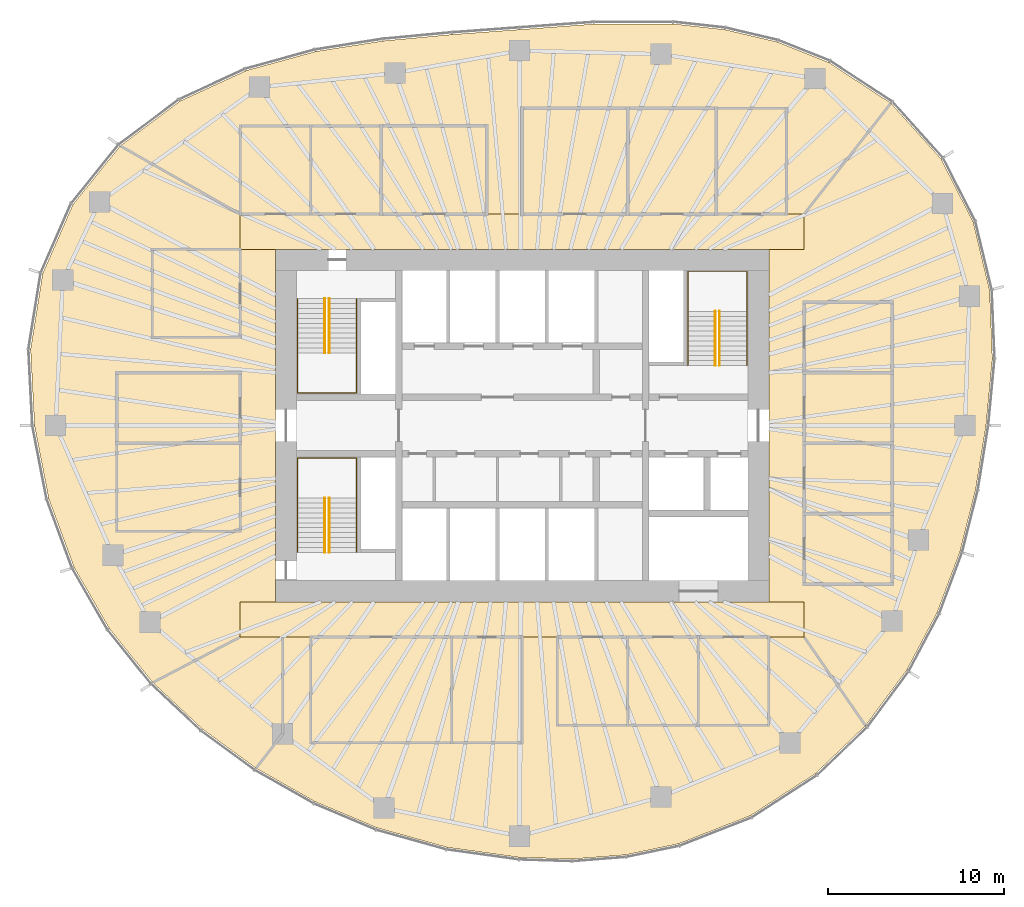
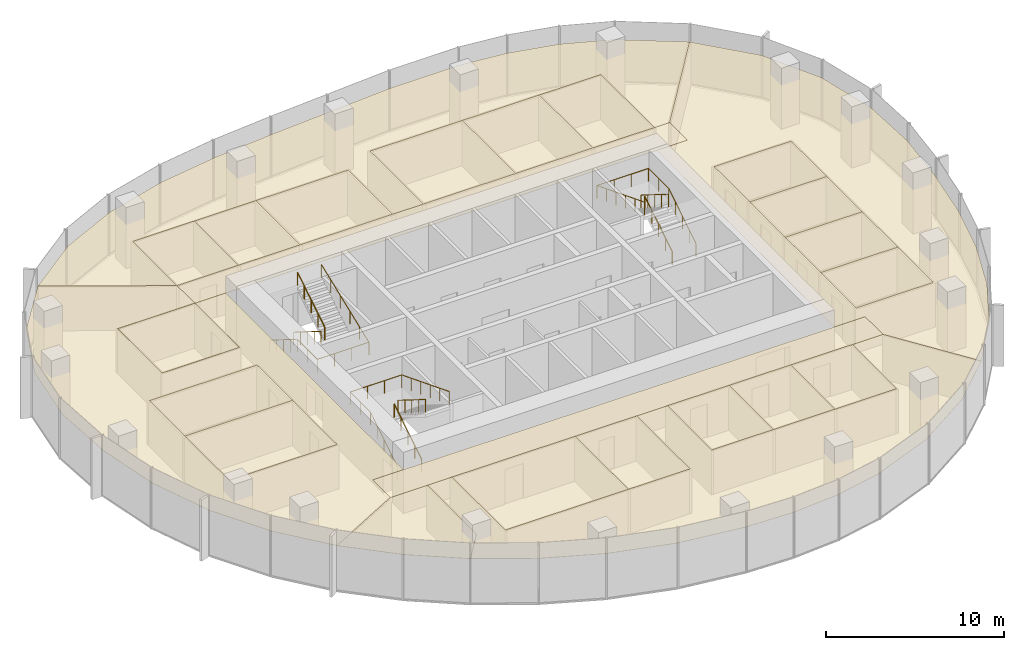
# One storey, part 12 of 12: 25 coverings, 9 railings.
"""IFC4 building model written with IfcOpenShell, lengths in metres."""

from ifc_helpers import new_model, si_unit, direction, frame, origin, origin_2d, place, context, subcontext, project, spatial, polyline, circle, outline, extrude, material, layer, layer_set, type_object, element, save


model = new_model("IFC4")

# Units and contexts
model_context = context("Model", 3, precision=1e-05, world=origin(), true_north=direction((0.0, 1.0)))
body_context = subcontext(model_context, "Body", "Model", "MODEL_VIEW")
ifc_project = project(units=[si_unit("LENGTHUNIT", "METRE"), si_unit("AREAUNIT", "SQUARE_METRE"), si_unit("VOLUMEUNIT", "CUBIC_METRE"), si_unit("PLANEANGLEUNIT", "RADIAN"), si_unit("MASSUNIT", "GRAM", prefix="KILO")], contexts=[model_context])

# Site, building, storey
site_placement = place(None, origin())
site = spatial("IfcSite", under=ifc_project, at=site_placement, CompositionType="ELEMENT")
building_placement = place(site_placement, origin())
building = spatial("IfcBuilding", under=site, at=building_placement, Name="Ghaith Harvest Tower", CompositionType="ELEMENT")
storey_placement = place(building_placement, frame((0.0, 0.0, 236.800048828125)))
storey = spatial("IfcBuildingStorey", under=building, at=storey_placement, Name="L52", CompositionType="ELEMENT", Elevation=236.800048828125)

# Coverings
ifc_material_1 = material(Name="Mineral fibre ceiling tile", Category="gypsum")
ifc_layer = layer(ifc_material_1, 0.02001953125)
ifc_layer_set = layer_set([ifc_layer], Name="CEILING C1")
covering_type = type_object("IfcCoveringType", Name="CEILING C1", PredefinedType="CEILING", material=ifc_layer_set)
covering_1_placement = place(storey_placement, frame((0.0, 0.0, 3.0)))
element("IfcCovering", 1, at=covering_1_placement, inside=storey, type_object=covering_type, Name="Ceiling L52-01", PredefinedType="CEILING", context=body_context, shape_type="SweptSolid", body=[
    extrude(outline(polyline([(-12.0, -18.0), (-4.0, -18.0), (-4.0, -12.0), (-12.0, -12.0), (-12.0, -18.0)])), origin(), (0.0, 0.0, 1.0), 0.02001953125),
])
covering_2_placement = place(storey_placement, frame((0.0, 0.0, 3.0)))
element("IfcCovering", 2, at=covering_2_placement, inside=storey, type_object=covering_type, Name="Ceiling L52-02", PredefinedType="CEILING", context=body_context, shape_type="SweptSolid", body=[
    extrude(outline(polyline([(-4.0, -18.0), (0.0, -18.0), (0.0, -12.0), (-4.0, -12.0), (-4.0, -18.0)])), origin(), (0.0, 0.0, 1.0), 0.02001953125),
])
covering_3_placement = place(storey_placement, frame((0.0, 0.0, 3.0)))
element("IfcCovering", 3, at=covering_3_placement, inside=storey, type_object=covering_type, Name="Ceiling L52-03", PredefinedType="CEILING", context=body_context, shape_type="SweptSolid", body=[
    extrude(outline(polyline([(2.0, -17.0), (6.0, -17.0), (6.0, -12.0), (2.0, -12.0), (2.0, -17.0)])), origin(), (0.0, 0.0, 1.0), 0.02001953125),
])
covering_4_placement = place(storey_placement, frame((0.0, 0.0, 3.0)))
element("IfcCovering", 4, at=covering_4_placement, inside=storey, type_object=covering_type, Name="Ceiling L52-04", PredefinedType="CEILING", context=body_context, shape_type="SweptSolid", body=[
    extrude(outline(polyline([(6.0, -17.0), (10.0, -17.0), (10.0, -12.0), (6.0, -12.0), (6.0, -17.0)])), origin(), (0.0, 0.0, 1.0), 0.02001953125),
])
covering_5_placement = place(storey_placement, frame((0.0, 0.0, 3.0)))
element("IfcCovering", 5, at=covering_5_placement, inside=storey, type_object=covering_type, Name="Ceiling L52-05", PredefinedType="CEILING", context=body_context, shape_type="SweptSolid", body=[
    extrude(outline(polyline([(10.0, -17.0), (14.0, -17.0), (14.0, -12.0), (10.0, -12.0), (10.0, -17.0)])), origin(), (0.0, 0.0, 1.0), 0.02001953125),
])
covering_6_placement = place(storey_placement, frame((0.0, 0.0, 3.0)))
element("IfcCovering", 6, at=covering_6_placement, inside=storey, type_object=covering_type, Name="Ceiling L52-06", PredefinedType="CEILING", context=body_context, shape_type="SweptSolid", body=[
    extrude(outline(polyline([(-16.0, 12.0), (-12.0, 12.0), (-12.0, 17.0), (-16.0, 17.0), (-16.0, 12.0)])), origin(), (0.0, 0.0, 1.0), 0.02001953125),
])
covering_7_placement = place(storey_placement, frame((0.0, 0.0, 3.0)))
element("IfcCovering", 7, at=covering_7_placement, inside=storey, type_object=covering_type, Name="Ceiling L52-07", PredefinedType="CEILING", context=body_context, shape_type="SweptSolid", body=[
    extrude(outline(polyline([(-12.0, 12.0), (-8.0, 12.0), (-8.0, 17.0), (-12.0, 17.0), (-12.0, 12.0)])), origin(), (0.0, 0.0, 1.0), 0.02001953125),
])
covering_8_placement = place(storey_placement, frame((0.0, 0.0, 3.0)))
element("IfcCovering", 8, at=covering_8_placement, inside=storey, type_object=covering_type, Name="Ceiling L52-08", PredefinedType="CEILING", context=body_context, shape_type="SweptSolid", body=[
    extrude(outline(polyline([(-8.0, 12.0), (-2.0, 12.0), (-2.0, 17.0), (-8.0, 17.0), (-8.0, 12.0)])), origin(), (0.0, 0.0, 1.0), 0.02001953125),
])
covering_9_placement = place(storey_placement, frame((0.0, 0.0, 3.0)))
element("IfcCovering", 9, at=covering_9_placement, inside=storey, type_object=covering_type, Name="Ceiling L52-09", PredefinedType="CEILING", context=body_context, shape_type="SweptSolid", body=[
    extrude(outline(polyline([(0.0, 12.0), (6.0, 12.0), (6.0, 18.0), (0.0, 18.0), (0.0, 12.0)])), origin(), (0.0, 0.0, 1.0), 0.02001953125),
])
covering_10_placement = place(storey_placement, frame((0.0, 0.0, 3.0)))
element("IfcCovering", 10, at=covering_10_placement, inside=storey, type_object=covering_type, Name="Ceiling L52-10", PredefinedType="CEILING", context=body_context, shape_type="SweptSolid", body=[
    extrude(outline(polyline([(6.0, 12.0), (11.0, 12.0), (11.0, 18.0), (6.0, 18.0), (6.0, 12.0)])), origin(), (0.0, 0.0, 1.0), 0.02001953125),
])
covering_11_placement = place(storey_placement, frame((0.0, 0.0, 3.0)))
element("IfcCovering", 11, at=covering_11_placement, inside=storey, type_object=covering_type, Name="Ceiling L52-11", PredefinedType="CEILING", context=body_context, shape_type="SweptSolid", body=[
    extrude(outline(polyline([(11.0, 12.0), (15.0, 12.0), (15.0, 18.0), (11.0, 18.0), (11.0, 12.0)])), origin(), (0.0, 0.0, 1.0), 0.02001953125),
])
covering_12_placement = place(storey_placement, frame((0.0, 0.0, 3.0)))
element("IfcCovering", 12, at=covering_12_placement, inside=storey, type_object=covering_type, Name="Ceiling L52-12", PredefinedType="CEILING", context=body_context, shape_type="SweptSolid", body=[
    extrude(outline(polyline([(16.0, -9.0), (21.0, -9.0), (21.0, -5.0), (16.0, -5.0), (16.0, -9.0)])), origin(), (0.0, 0.0, 1.0), 0.02001953125),
])
covering_13_placement = place(storey_placement, frame((0.0, 0.0, 3.0)))
element("IfcCovering", 13, at=covering_13_placement, inside=storey, type_object=covering_type, Name="Ceiling L52-13", PredefinedType="CEILING", context=body_context, shape_type="SweptSolid", body=[
    extrude(outline(polyline([(16.0, -5.0), (21.0, -5.0), (21.0, -1.0), (16.0, -1.0), (16.0, -5.0)])), origin(), (0.0, 0.0, 1.0), 0.02001953125),
])
covering_14_placement = place(storey_placement, frame((0.0, 0.0, 3.0)))
element("IfcCovering", 14, at=covering_14_placement, inside=storey, type_object=covering_type, Name="Ceiling L52-14", PredefinedType="CEILING", context=body_context, shape_type="SweptSolid", body=[
    extrude(outline(polyline([(16.0, -1.0), (21.0, -1.0), (21.0, 3.0), (16.0, 3.0), (16.0, -1.0)])), origin(), (0.0, 0.0, 1.0), 0.02001953125),
])
covering_15_placement = place(storey_placement, frame((0.0, 0.0, 3.0)))
element("IfcCovering", 15, at=covering_15_placement, inside=storey, type_object=covering_type, Name="Ceiling L52-15", PredefinedType="CEILING", context=body_context, shape_type="SweptSolid", body=[
    extrude(outline(polyline([(16.0, 3.0), (21.0, 3.0), (21.0, 7.0), (16.0, 7.0), (16.0, 3.0)])), origin(), (0.0, 0.0, 1.0), 0.02001953125),
])
covering_16_placement = place(storey_placement, frame((0.0, 0.0, 3.0)))
element("IfcCovering", 16, at=covering_16_placement, inside=storey, type_object=covering_type, Name="Ceiling L52-16", PredefinedType="CEILING", context=body_context, shape_type="SweptSolid", body=[
    extrude(outline(polyline([(-23.0, -6.0), (-16.0, -6.0), (-16.0, -1.0), (-23.0, -1.0), (-23.0, -6.0)])), origin(), (0.0, 0.0, 1.0), 0.02001953125),
])
covering_17_placement = place(storey_placement, frame((0.0, 0.0, 3.0)))
element("IfcCovering", 17, at=covering_17_placement, inside=storey, type_object=covering_type, Name="Ceiling L52-17", PredefinedType="CEILING", context=body_context, shape_type="SweptSolid", body=[
    extrude(outline(polyline([(-23.0, -1.0), (-16.0, -1.0), (-16.0, 3.0), (-23.0, 3.0), (-23.0, -1.0)])), origin(), (0.0, 0.0, 1.0), 0.02001953125),
])
covering_18_placement = place(storey_placement, frame((0.0, 0.0, 3.0)))
element("IfcCovering", 18, at=covering_18_placement, inside=storey, type_object=covering_type, Name="Ceiling L52-18", PredefinedType="CEILING", context=body_context, shape_type="SweptSolid", body=[
    extrude(outline(polyline([(-21.0, 5.0), (-16.0, 5.0), (-16.0, 10.0), (-21.0, 10.0), (-21.0, 5.0)])), origin(), (0.0, 0.0, 1.0), 0.02001953125),
])
covering_19_placement = place(storey_placement, frame((0.0, 0.0, 3.0)))
element("IfcCovering", 19, at=covering_19_placement, inside=storey, type_object=covering_type, Name="Ceiling L52-C1", PredefinedType="CEILING", context=body_context, shape_type="SweptSolid", body=[
    extrude(outline(polyline([(16.0, 10.0), (-16.0, 10.0), (-16.0, 12.0), (16.0, 12.0), (16.0, 10.0)])), origin(), (0.0, 0.0, 1.0), 0.02001953125),
])
covering_20_placement = place(storey_placement, frame((0.0, 0.0, 3.0)))
element("IfcCovering", 20, at=covering_20_placement, inside=storey, type_object=covering_type, Name="Ceiling L52-C2", PredefinedType="CEILING", context=body_context, shape_type="SweptSolid", body=[
    extrude(outline(polyline([(-16.0, -10.0), (16.0, -10.0), (16.0, -12.0), (-16.0, -12.0), (-16.0, -10.0)])), origin(), (0.0, 0.0, 1.0), 0.02001953125),
])
covering_21_placement = place(storey_placement, frame((0.0, 0.0, 3.0)))
element("IfcCovering", 21, at=covering_21_placement, inside=storey, type_object=covering_type, Name="Ceiling L52-N1", PredefinedType="CEILING", context=body_context, shape_type="SweptSolid", body=[
    extrude(outline(polyline([(-19.408203125, 18.41650390625), (-15.6474609375, 20.147705078125), (-11.694580078125, 21.2314453125), (-7.8837890625, 21.827880859375), (-3.963134765625, 22.192138671875), (-0.15380859375, 22.470458984375), (4.03857421875, 22.78125), (8.522216796875, 22.796875), (11.47265625, 22.47265625), (14.460693359375, 21.771484375), (17.382080078125, 20.612548828125), (20.923095703125, 18.295166015625), (16.0, 12.0), (15.0, 12.0), (15.0, 18.0), (0.0, 18.0), (0.0, 12.0), (-2.0, 12.0), (-2.0, 17.0), (-16.0, 17.0), (-16.0, 12.0), (-22.809814453125, 15.87109375), (-19.408203125, 18.41650390625)])), origin(), (0.0, 0.0, 1.0), 0.02001953125),
])
covering_22_placement = place(storey_placement, frame((0.0, 0.0, 3.0)))
element("IfcCovering", 22, at=covering_22_placement, inside=storey, type_object=covering_type, Name="Ceiling L52-E1", PredefinedType="CEILING", context=body_context, shape_type="SweptSolid", body=[
    extrude(outline(polyline([(23.77294921875, 15.12939453125), (25.597900390625, 11.55615234375), (26.531005859375, 7.668212890625), (26.685791015625, 3.779052734375), (26.324951171875, 0.0), (25.734375, -3.644287109375), (24.840576171875, -7.179443359375), (23.548828125, -10.631103515625), (21.821533203125, -13.887451171875), (19.48388671875, -17.036865234375), (16.0, -12.0), (16.0, -10.0), (14.0, -10.0), (14.0, 10.0), (16.0, 10.0), (16.0, 12.0), (20.923095703125, 18.295166015625), (23.77294921875, 15.12939453125)]), holes=[polyline([(16.0, 7.0), (16.0, -9.0), (21.0, -9.0), (21.0, 7.0), (16.0, 7.0)])]), origin(), (0.0, 0.0, 1.0), 0.02001953125),
])
covering_23_placement = place(storey_placement, frame((0.0, 0.0, 3.0)))
element("IfcCovering", 23, at=covering_23_placement, inside=storey, type_object=covering_type, Name="Ceiling L52-S1", PredefinedType="CEILING", context=body_context, shape_type="SweptSolid", body=[
    extrude(outline(polyline([(16.651611328125, -19.746337890625), (12.949462890625, -22.1435546875), (8.8740234375, -23.73779296875), (5.865234375, -24.3662109375), (2.833984375, -24.602294921875), (-0.167724609375, -24.505126953125), (-4.27490234375, -23.9375), (-8.2451171875, -22.82861328125), (-11.75732421875, -21.345703125), (-15.10400390625, -19.447998046875), (-15.10400390625, -19.447998046875), (-13.594970703125, -17.5048828125), (-13.594970703125, -12.0), (-12.0, -12.0), (-12.0, -18.0), (0.0, -18.0), (0.0, -12.0), (2.0, -12.0), (2.0, -17.0), (14.0, -17.0), (14.0, -12.0), (16.0, -12.0), (19.48388671875, -17.036865234375), (16.651611328125, -19.746337890625)])), origin(), (0.0, 0.0, 1.0), 0.02001953125),
])
covering_24_placement = place(storey_placement, frame((0.0, 0.0, 3.0)))
element("IfcCovering", 24, at=covering_24_placement, inside=storey, type_object=covering_type, Name="Ceiling L52-S2", PredefinedType="CEILING", context=body_context, shape_type="SweptSolid", body=[
    extrude(outline(polyline([(-15.10400390625, -19.447998046875), (-18.15087890625, -17.223388671875), (-20.963134765625, -14.586181640625), (-16.0, -12.0), (-13.594970703125, -12.0), (-13.594970703125, -17.5048828125), (-15.10400390625, -19.447998046875)])), origin(), (0.0, 0.0, 1.0), 0.02001953125),
])
covering_25_placement = place(storey_placement, frame((0.0, 0.0, 3.0)))
element("IfcCovering", 25, at=covering_25_placement, inside=storey, type_object=covering_type, Name="Ceiling L52-W1", PredefinedType="CEILING", context=body_context, shape_type="SweptSolid", body=[
    extrude(outline(polyline([(-27.897216796875, 4.314697265625), (-27.211181640625, 8.623779296875), (-25.491943359375, 12.547607421875), (-22.809814453125, 15.87109375), (-16.0, 12.0), (-16.0, 10.010009765625), (-21.010009765625, 10.010009765625), (-21.010009765625, 4.989990234375), (-15.989990234375, 4.989990234375), (-15.989990234375, 10.0), (-14.0, 10.0), (-14.0, -10.0), (-16.0, -10.0), (-16.0, -12.0), (-20.963134765625, -14.586181640625), (-23.425537109375, -11.530517578125), (-25.424072265625, -8.057373046875), (-26.86669921875, -4.155517578125), (-27.675048828125, 0.0), (-27.897216796875, 4.314697265625)]), holes=[polyline([(-23.0, -6.0), (-16.0, -6.0), (-16.0, 3.0), (-23.0, 3.0), (-23.0, -6.0)])]), origin(), (0.0, 0.0, 1.0), 0.02001953125),
])

# Railings
ifc_material_2 = material(Name="Steel, black powder-coated", Category="steel")
railing_type = type_object("IfcRailingType", Name="HANDRAIL HR1", PredefinedType="HANDRAIL", material=ifc_material_2)
railing_1_placement = place(storey_placement, frame((-11.199951171875, 7.199951171875, 0.175048828125)))
element("IfcRailing", 26, at=railing_1_placement, inside=storey, type_object=railing_type, Name="Handrail HR1 stair ST1 L52 flight 1 inner", PredefinedType="HANDRAIL", context=body_context, shape_type="SweptSolid", body=[
    extrude(circle(Radius=0.02392578125, at=origin_2d()), frame((0.0, 0.0, 0.8759765625), z_axis=(0.0, -0.848009633417, 0.529980812513), x_axis=(1.0, 0.0, 0.0)), (0.0, 0.0, 1.0), 3.6318359375),
    extrude(circle(Radius=0.02099609375, at=origin_2d()), origin(), (0.0, 0.0, 1.0), 0.851806640625),
    extrude(circle(Radius=0.02099609375, at=origin_2d()), frame((0.0, -0.77001953125, 0.481201171875)), (0.0, 0.0, 1.0), 0.851806640625),
    extrude(circle(Radius=0.02099609375, at=origin_2d()), frame((0.0, -1.5400390625, 0.96240234375)), (0.0, 0.0, 1.0), 0.851806640625),
    extrude(circle(Radius=0.02099609375, at=origin_2d()), frame((0.0, -2.309814453125, 1.443603515625)), (0.0, 0.0, 1.0), 0.851806640625),
    extrude(circle(Radius=0.02099609375, at=origin_2d()), frame((0.0, -3.079833984375, 1.9248046875)), (0.0, 0.0, 1.0), 0.851806640625),
])
railing_2_placement = place(storey_placement, frame((-10.949951171875, 4.1201171875, 2.27490234375)))
element("IfcRailing", 27, at=railing_2_placement, inside=storey, type_object=railing_type, Name="Handrail HR1 stair ST1 L52 flight 2 inner", PredefinedType="HANDRAIL", context=body_context, shape_type="SweptSolid", body=[
    extrude(circle(Radius=0.02392578125, at=origin_2d()), frame((0.0, 0.0, 0.8759765625), z_axis=(0.0, 0.847979421464, 0.530029150871), x_axis=(-1.0, 0.0, 0.0)), (0.0, 0.0, 1.0), 3.632080078125),
    extrude(circle(Radius=0.02099609375, at=origin_2d()), origin(), (0.0, 0.0, 1.0), 0.851806640625),
    extrude(circle(Radius=0.02099609375, at=origin_2d()), frame((0.0, 0.77001953125, 0.481201171875)), (0.0, 0.0, 1.0), 0.851806640625),
    extrude(circle(Radius=0.02099609375, at=origin_2d()), frame((0.0, 1.5400390625, 0.96240234375)), (0.0, 0.0, 1.0), 0.851806640625),
    extrude(circle(Radius=0.02099609375, at=origin_2d()), frame((0.0, 2.309814453125, 1.44384765625)), (0.0, 0.0, 1.0), 0.851806640625),
    extrude(circle(Radius=0.02099609375, at=origin_2d()), frame((0.0, 3.079833984375, 1.925048828125)), (0.0, 0.0, 1.0), 0.851806640625),
])
railing_3_placement = place(storey_placement, frame((-12.75, 7.199951171875, 0.175048828125)))
element("IfcRailing", 28, at=railing_3_placement, inside=storey, type_object=railing_type, Name="Handrail HR1 stair ST1 L52 wall side", PredefinedType="HANDRAIL", context=body_context, shape_type="SweptSolid", body=[
    extrude(circle(Radius=0.02392578125, at=origin_2d()), frame((0.0, 0.0, 0.8759765625), z_axis=(0.0, -0.848009633417, 0.529980812513), x_axis=(1.0, 0.0, 0.0)), (0.0, 0.0, 1.0), 3.6318359375),
    extrude(circle(Radius=0.02392578125, at=origin_2d()), frame((0.0, -3.079833984375, 2.80078125), z_axis=(0.0, -1.0, 0.0), x_axis=(1.0, 0.0, 0.0)), (0.0, 0.0, 1.0), 2.27001953125),
    extrude(circle(Radius=0.02392578125, at=origin_2d()), frame((0.0, -5.349853515625, 2.80078125), z_axis=(1.0, 0.0, 0.0), x_axis=(0.0, 1.0, 0.0)), (0.0, 0.0, 1.0), 3.35009765625),
    extrude(circle(Radius=0.02392578125, at=origin_2d()), frame((3.35009765625, -5.349853515625, 2.80078125), z_axis=(0.0, 0.930848013298, 0.36540659017), x_axis=(-1.0, 0.0, 0.0)), (0.0, 0.0, 1.0), 5.747314453125),
    extrude(circle(Radius=0.02099609375, at=origin_2d()), origin(), (0.0, 0.0, 1.0), 0.851806640625),
    extrude(circle(Radius=0.02099609375, at=origin_2d()), frame((0.0, -0.77001953125, 0.481201171875)), (0.0, 0.0, 1.0), 0.851806640625),
    extrude(circle(Radius=0.02099609375, at=origin_2d()), frame((0.0, -1.5400390625, 0.96240234375)), (0.0, 0.0, 1.0), 0.851806640625),
    extrude(circle(Radius=0.02099609375, at=origin_2d()), frame((0.0, -2.309814453125, 1.443603515625)), (0.0, 0.0, 1.0), 0.851806640625),
    extrude(circle(Radius=0.02099609375, at=origin_2d()), frame((0.0, -3.079833984375, 1.9248046875)), (0.0, 0.0, 1.0), 0.851806640625),
    extrude(circle(Radius=0.02099609375, at=origin_2d()), frame((0.0, -4.21484375, 1.9248046875)), (0.0, 0.0, 1.0), 0.851806640625),
    extrude(circle(Radius=0.02099609375, at=origin_2d()), frame((0.0, -5.349853515625, 1.9248046875)), (0.0, 0.0, 1.0), 0.851806640625),
    extrude(circle(Radius=0.02099609375, at=origin_2d()), frame((1.11669921875, -5.349853515625, 1.9248046875)), (0.0, 0.0, 1.0), 0.851806640625),
    extrude(circle(Radius=0.02099609375, at=origin_2d()), frame((2.2333984375, -5.349853515625, 1.9248046875)), (0.0, 0.0, 1.0), 0.851806640625),
    extrude(circle(Radius=0.02099609375, at=origin_2d()), frame((3.35009765625, -5.349853515625, 1.9248046875)), (0.0, 0.0, 1.0), 0.851806640625),
    extrude(circle(Radius=0.02099609375, at=origin_2d()), frame((3.35009765625, -4.27978515625, 2.3447265625)), (0.0, 0.0, 1.0), 0.851806640625),
    extrude(circle(Radius=0.02099609375, at=origin_2d()), frame((3.35009765625, -3.2099609375, 2.764892578125)), (0.0, 0.0, 1.0), 0.851806640625),
    extrude(circle(Radius=0.02099609375, at=origin_2d()), frame((3.35009765625, -2.139892578125, 3.184814453125)), (0.0, 0.0, 1.0), 0.851806640625),
    extrude(circle(Radius=0.02099609375, at=origin_2d()), frame((3.35009765625, -1.070068359375, 3.60498046875)), (0.0, 0.0, 1.0), 0.851806640625),
    extrude(circle(Radius=0.02099609375, at=origin_2d()), frame((3.35009765625, 0.0, 4.02490234375)), (0.0, 0.0, 1.0), 0.851806640625),
])
railing_4_placement = place(storey_placement, frame((-11.199951171875, -7.199951171875, 0.175048828125)))
element("IfcRailing", 29, at=railing_4_placement, inside=storey, type_object=railing_type, Name="Handrail HR1 stair ST3 L52 flight 1 inner", PredefinedType="HANDRAIL", context=body_context, shape_type="SweptSolid", body=[
    extrude(circle(Radius=0.02392578125, at=origin_2d()), frame((0.0, 0.0, 0.8759765625), z_axis=(0.0, 0.848009633417, 0.529980812513), x_axis=(-1.0, 0.0, 0.0)), (0.0, 0.0, 1.0), 3.6318359375),
    extrude(circle(Radius=0.02099609375, at=origin_2d()), origin(), (0.0, 0.0, 1.0), 0.851806640625),
    extrude(circle(Radius=0.02099609375, at=origin_2d()), frame((0.0, 0.77001953125, 0.481201171875)), (0.0, 0.0, 1.0), 0.851806640625),
    extrude(circle(Radius=0.02099609375, at=origin_2d()), frame((0.0, 1.5400390625, 0.96240234375)), (0.0, 0.0, 1.0), 0.851806640625),
    extrude(circle(Radius=0.02099609375, at=origin_2d()), frame((0.0, 2.309814453125, 1.443603515625)), (0.0, 0.0, 1.0), 0.851806640625),
    extrude(circle(Radius=0.02099609375, at=origin_2d()), frame((0.0, 3.079833984375, 1.9248046875)), (0.0, 0.0, 1.0), 0.851806640625),
])
railing_5_placement = place(storey_placement, frame((-10.949951171875, -4.1201171875, 2.27490234375)))
element("IfcRailing", 30, at=railing_5_placement, inside=storey, type_object=railing_type, Name="Handrail HR1 stair ST3 L52 flight 2 inner", PredefinedType="HANDRAIL", context=body_context, shape_type="SweptSolid", body=[
    extrude(circle(Radius=0.02392578125, at=origin_2d()), frame((0.0, 0.0, 0.8759765625), z_axis=(0.0, -0.847979421464, 0.530029150871), x_axis=(1.0, 0.0, 0.0)), (0.0, 0.0, 1.0), 3.632080078125),
    extrude(circle(Radius=0.02099609375, at=origin_2d()), origin(), (0.0, 0.0, 1.0), 0.851806640625),
    extrude(circle(Radius=0.02099609375, at=origin_2d()), frame((0.0, -0.77001953125, 0.481201171875)), (0.0, 0.0, 1.0), 0.851806640625),
    extrude(circle(Radius=0.02099609375, at=origin_2d()), frame((0.0, -1.5400390625, 0.96240234375)), (0.0, 0.0, 1.0), 0.851806640625),
    extrude(circle(Radius=0.02099609375, at=origin_2d()), frame((0.0, -2.309814453125, 1.44384765625)), (0.0, 0.0, 1.0), 0.851806640625),
    extrude(circle(Radius=0.02099609375, at=origin_2d()), frame((0.0, -3.079833984375, 1.925048828125)), (0.0, 0.0, 1.0), 0.851806640625),
])
railing_6_placement = place(storey_placement, frame((-12.75, -7.199951171875, 0.175048828125)))
element("IfcRailing", 31, at=railing_6_placement, inside=storey, type_object=railing_type, Name="Handrail HR1 stair ST3 L52 wall side", PredefinedType="HANDRAIL", context=body_context, shape_type="SweptSolid", body=[
    extrude(circle(Radius=0.02392578125, at=origin_2d()), frame((0.0, 0.0, 0.8759765625), z_axis=(0.0, 0.848009633417, 0.529980812513), x_axis=(-1.0, 0.0, 0.0)), (0.0, 0.0, 1.0), 3.6318359375),
    extrude(circle(Radius=0.02392578125, at=origin_2d()), frame((0.0, 3.079833984375, 2.80078125), z_axis=(0.0, 1.0, 0.0), x_axis=(-1.0, 0.0, 0.0)), (0.0, 0.0, 1.0), 2.27001953125),
    extrude(circle(Radius=0.02392578125, at=origin_2d()), frame((0.0, 5.349853515625, 2.80078125), z_axis=(1.0, 0.0, 0.0), x_axis=(0.0, 1.0, 0.0)), (0.0, 0.0, 1.0), 3.35009765625),
    extrude(circle(Radius=0.02392578125, at=origin_2d()), frame((3.35009765625, 5.349853515625, 2.80078125), z_axis=(0.0, -0.930848013298, 0.36540659017), x_axis=(1.0, 0.0, 0.0)), (0.0, 0.0, 1.0), 5.747314453125),
    extrude(circle(Radius=0.02099609375, at=origin_2d()), origin(), (0.0, 0.0, 1.0), 0.851806640625),
    extrude(circle(Radius=0.02099609375, at=origin_2d()), frame((0.0, 0.77001953125, 0.481201171875)), (0.0, 0.0, 1.0), 0.851806640625),
    extrude(circle(Radius=0.02099609375, at=origin_2d()), frame((0.0, 1.5400390625, 0.96240234375)), (0.0, 0.0, 1.0), 0.851806640625),
    extrude(circle(Radius=0.02099609375, at=origin_2d()), frame((0.0, 2.309814453125, 1.443603515625)), (0.0, 0.0, 1.0), 0.851806640625),
    extrude(circle(Radius=0.02099609375, at=origin_2d()), frame((0.0, 3.079833984375, 1.9248046875)), (0.0, 0.0, 1.0), 0.851806640625),
    extrude(circle(Radius=0.02099609375, at=origin_2d()), frame((0.0, 4.21484375, 1.9248046875)), (0.0, 0.0, 1.0), 0.851806640625),
    extrude(circle(Radius=0.02099609375, at=origin_2d()), frame((0.0, 5.349853515625, 1.9248046875)), (0.0, 0.0, 1.0), 0.851806640625),
    extrude(circle(Radius=0.02099609375, at=origin_2d()), frame((1.11669921875, 5.349853515625, 1.9248046875)), (0.0, 0.0, 1.0), 0.851806640625),
    extrude(circle(Radius=0.02099609375, at=origin_2d()), frame((2.2333984375, 5.349853515625, 1.9248046875)), (0.0, 0.0, 1.0), 0.851806640625),
    extrude(circle(Radius=0.02099609375, at=origin_2d()), frame((3.35009765625, 5.349853515625, 1.9248046875)), (0.0, 0.0, 1.0), 0.851806640625),
    extrude(circle(Radius=0.02099609375, at=origin_2d()), frame((3.35009765625, 4.27978515625, 2.3447265625)), (0.0, 0.0, 1.0), 0.851806640625),
    extrude(circle(Radius=0.02099609375, at=origin_2d()), frame((3.35009765625, 3.2099609375, 2.764892578125)), (0.0, 0.0, 1.0), 0.851806640625),
    extrude(circle(Radius=0.02099609375, at=origin_2d()), frame((3.35009765625, 2.139892578125, 3.184814453125)), (0.0, 0.0, 1.0), 0.851806640625),
    extrude(circle(Radius=0.02099609375, at=origin_2d()), frame((3.35009765625, 1.070068359375, 3.60498046875)), (0.0, 0.0, 1.0), 0.851806640625),
    extrude(circle(Radius=0.02099609375, at=origin_2d()), frame((3.35009765625, 0.0, 4.02490234375)), (0.0, 0.0, 1.0), 0.851806640625),
])
railing_7_placement = place(storey_placement, frame((11.199951171875, 3.39990234375, 0.175048828125)))
element("IfcRailing", 32, at=railing_7_placement, inside=storey, type_object=railing_type, Name="Handrail HR1 stair ST2 L52 flight 1 inner", PredefinedType="HANDRAIL", context=body_context, shape_type="SweptSolid", body=[
    extrude(circle(Radius=0.02392578125, at=origin_2d()), frame((0.0, 0.0, 0.8759765625), z_axis=(0.0, 0.848028513186, 0.529950602248), x_axis=(-1.0, 0.0, 0.0)), (0.0, 0.0, 1.0), 3.632080078125),
    extrude(circle(Radius=0.02099609375, at=origin_2d()), origin(), (0.0, 0.0, 1.0), 0.851806640625),
    extrude(circle(Radius=0.02099609375, at=origin_2d()), frame((0.0, 0.77001953125, 0.481201171875)), (0.0, 0.0, 1.0), 0.851806640625),
    extrude(circle(Radius=0.02099609375, at=origin_2d()), frame((0.0, 1.5400390625, 0.96240234375)), (0.0, 0.0, 1.0), 0.851806640625),
    extrude(circle(Radius=0.02099609375, at=origin_2d()), frame((0.0, 2.31005859375, 1.443603515625)), (0.0, 0.0, 1.0), 0.851806640625),
    extrude(circle(Radius=0.02099609375, at=origin_2d()), frame((0.0, 3.080078125, 1.9248046875)), (0.0, 0.0, 1.0), 0.851806640625),
])
railing_8_placement = place(storey_placement, frame((10.949951171875, 6.47998046875, 2.27490234375)))
element("IfcRailing", 33, at=railing_8_placement, inside=storey, type_object=railing_type, Name="Handrail HR1 stair ST2 L52 flight 2 inner", PredefinedType="HANDRAIL", context=body_context, shape_type="SweptSolid", body=[
    extrude(circle(Radius=0.02392578125, at=origin_2d()), frame((0.0, 0.0, 0.8759765625), z_axis=(0.0, -0.847998304005, 0.529998940003), x_axis=(1.0, 0.0, 0.0)), (0.0, 0.0, 1.0), 3.632080078125),
    extrude(circle(Radius=0.02099609375, at=origin_2d()), origin(), (0.0, 0.0, 1.0), 0.851806640625),
    extrude(circle(Radius=0.02099609375, at=origin_2d()), frame((0.0, -0.77001953125, 0.481201171875)), (0.0, 0.0, 1.0), 0.851806640625),
    extrude(circle(Radius=0.02099609375, at=origin_2d()), frame((0.0, -1.5400390625, 0.96240234375)), (0.0, 0.0, 1.0), 0.851806640625),
    extrude(circle(Radius=0.02099609375, at=origin_2d()), frame((0.0, -2.31005859375, 1.44384765625)), (0.0, 0.0, 1.0), 0.851806640625),
    extrude(circle(Radius=0.02099609375, at=origin_2d()), frame((0.0, -3.080078125, 1.925048828125)), (0.0, 0.0, 1.0), 0.851806640625),
])
railing_9_placement = place(storey_placement, frame((12.75, 3.39990234375, 0.175048828125)))
element("IfcRailing", 34, at=railing_9_placement, inside=storey, type_object=railing_type, Name="Handrail HR1 stair ST2 L52 wall side", PredefinedType="HANDRAIL", context=body_context, shape_type="SweptSolid", body=[
    extrude(circle(Radius=0.02392578125, at=origin_2d()), frame((0.0, 0.0, 0.8759765625), z_axis=(0.0, 0.848028513186, 0.529950602248), x_axis=(-1.0, 0.0, 0.0)), (0.0, 0.0, 1.0), 3.632080078125),
    extrude(circle(Radius=0.02392578125, at=origin_2d()), frame((0.0, 3.080078125, 2.80078125), z_axis=(0.0, 1.0, 0.0), x_axis=(-1.0, 0.0, 0.0)), (0.0, 0.0, 1.0), 2.27001953125),
    extrude(circle(Radius=0.02392578125, at=origin_2d()), frame((0.0, 5.35009765625, 2.80078125), z_axis=(-1.0, 0.0, 0.0), x_axis=(0.0, -1.0, 0.0)), (0.0, 0.0, 1.0), 3.35009765625),
    extrude(circle(Radius=0.02392578125, at=origin_2d()), frame((-3.35009765625, 5.35009765625, 2.80078125), z_axis=(0.0, -0.930853684876, 0.365392141887), x_axis=(1.0, 0.0, 0.0)), (0.0, 0.0, 1.0), 5.74755859375),
    extrude(circle(Radius=0.02099609375, at=origin_2d()), origin(), (0.0, 0.0, 1.0), 0.851806640625),
    extrude(circle(Radius=0.02099609375, at=origin_2d()), frame((0.0, 0.77001953125, 0.481201171875)), (0.0, 0.0, 1.0), 0.851806640625),
    extrude(circle(Radius=0.02099609375, at=origin_2d()), frame((0.0, 1.5400390625, 0.96240234375)), (0.0, 0.0, 1.0), 0.851806640625),
    extrude(circle(Radius=0.02099609375, at=origin_2d()), frame((0.0, 2.31005859375, 1.443603515625)), (0.0, 0.0, 1.0), 0.851806640625),
    extrude(circle(Radius=0.02099609375, at=origin_2d()), frame((0.0, 3.080078125, 1.9248046875)), (0.0, 0.0, 1.0), 0.851806640625),
    extrude(circle(Radius=0.02099609375, at=origin_2d()), frame((0.0, 4.215087890625, 1.9248046875)), (0.0, 0.0, 1.0), 0.851806640625),
    extrude(circle(Radius=0.02099609375, at=origin_2d()), frame((0.0, 5.35009765625, 1.9248046875)), (0.0, 0.0, 1.0), 0.851806640625),
    extrude(circle(Radius=0.02099609375, at=origin_2d()), frame((-1.11669921875, 5.35009765625, 1.9248046875)), (0.0, 0.0, 1.0), 0.851806640625),
    extrude(circle(Radius=0.02099609375, at=origin_2d()), frame((-2.2333984375, 5.35009765625, 1.9248046875)), (0.0, 0.0, 1.0), 0.851806640625),
    extrude(circle(Radius=0.02099609375, at=origin_2d()), frame((-3.35009765625, 5.35009765625, 1.9248046875)), (0.0, 0.0, 1.0), 0.851806640625),
    extrude(circle(Radius=0.02099609375, at=origin_2d()), frame((-3.35009765625, 4.280029296875, 2.3447265625)), (0.0, 0.0, 1.0), 0.851806640625),
    extrude(circle(Radius=0.02099609375, at=origin_2d()), frame((-3.35009765625, 3.2099609375, 2.764892578125)), (0.0, 0.0, 1.0), 0.851806640625),
    extrude(circle(Radius=0.02099609375, at=origin_2d()), frame((-3.35009765625, 2.14013671875, 3.184814453125)), (0.0, 0.0, 1.0), 0.851806640625),
    extrude(circle(Radius=0.02099609375, at=origin_2d()), frame((-3.35009765625, 1.070068359375, 3.60498046875)), (0.0, 0.0, 1.0), 0.851806640625),
    extrude(circle(Radius=0.02099609375, at=origin_2d()), frame((-3.35009765625, 0.0, 4.02490234375)), (0.0, 0.0, 1.0), 0.851806640625),
])

save(model, "model.ifc")
